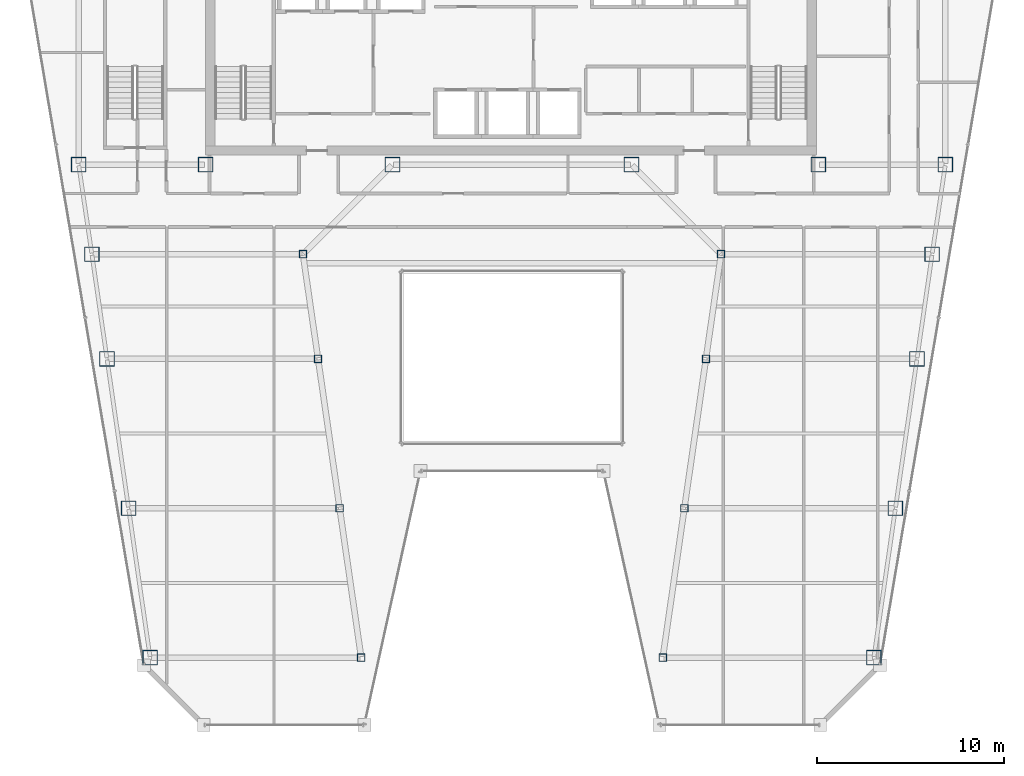
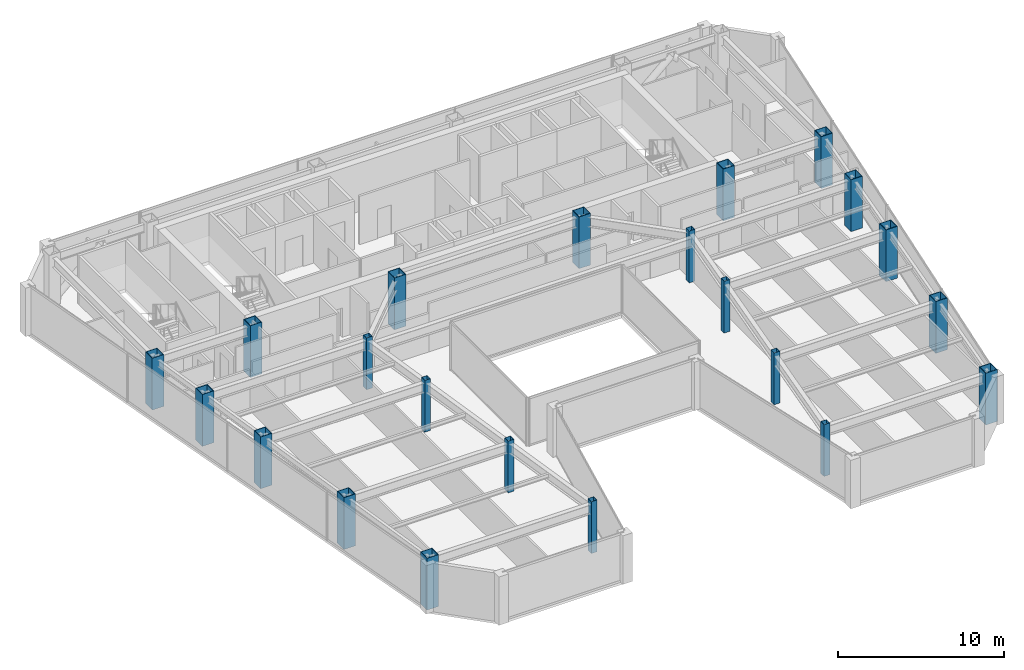
# One storey, part 1 of 36: 22 columns.
"""IFC4 building model written with IfcOpenShell, lengths in metres."""

from ifc_helpers import new_model, si_unit, direction, frame, origin, origin_2d, place, context, subcontext, project, spatial, hollow_rectangle, extrude, material, material_profile, profile_set, type_object, element, save


model = new_model("IFC4")

# Units and contexts
model_context = context("Model", 3, precision=1e-05, world=origin(), true_north=direction((0.0, 1.0)))
body_context = subcontext(model_context, "Body", "Model", "MODEL_VIEW")
ifc_project = project(units=[si_unit("LENGTHUNIT", "METRE"), si_unit("AREAUNIT", "SQUARE_METRE"), si_unit("VOLUMEUNIT", "CUBIC_METRE"), si_unit("PLANEANGLEUNIT", "RADIAN"), si_unit("MASSUNIT", "GRAM", prefix="KILO")], contexts=[model_context])

# Site, building, storey
site_placement = place(None, origin())
site = spatial("IfcSite", under=ifc_project, at=site_placement, CompositionType="ELEMENT")
building_placement = place(site_placement, origin())
building = spatial("IfcBuilding", under=site, at=building_placement, Name="Saevonmaru Cultural Tower", CompositionType="ELEMENT")
storey_placement = place(building_placement, frame((0.0, 0.0, 201.800048828125)))
storey = spatial("IfcBuildingStorey", under=building, at=storey_placement, Name="L46", CompositionType="ELEMENT", Elevation=201.800048828125)

# Columns
ifc_material_1 = material(Name="Steel SM420", Category="steel")
ifc_material_profile_1 = material_profile(ifc_material_1, hollow_rectangle(XDim=0.800048828125, YDim=0.800048828125, WallThickness=0.035888671875, at=origin_2d()), Name="BOX-800x800x36")
ifc_profile_set_1 = profile_set([ifc_material_profile_1], Name="Steel SM420")
column_type_1 = type_object("IfcColumnType", Name="COL-BOX-800", PredefinedType="COLUMN", material=ifc_profile_set_1)
for number, where, z_axis, x_axis, name in (
    (1, (6.800048828125, 42.39990234375, 0.0), (0.0, 0.0, 1.0), (1.0, 0.0, 0.0), "L46 Column TC-S1C"),
    (2, (13.60009765625, 42.39990234375, 0.0), (0.0, 0.0, 1.0), (1.0, 0.0, 0.0), "L46 Column TC-S2C"),
    (3, (23.60009765625, 42.39990234375, 0.0), (0.0, 0.0, 1.0), (1.0, 0.0, 0.0), "L46 Column TC-S3C"),
    (4, (36.39990234375, 42.39990234375, 0.0), (0.0, 0.0, 1.0), (1.0, 0.0, 0.0), "L46 Column TC-S4C"),
    (5, (46.39990234375, 42.39990234375, 0.0), (0.0, 0.0, 1.0), (1.0, 0.0, 0.0), "L46 Column TC-S5C"),
    (6, (53.199951171875, 42.39990234375, 0.0), (0.0, 0.0, 1.0), (1.0, 0.0, 0.0), "L46 Column TC-S6C"),
    (7, (10.6279296875, 16.0, 0.0), (0.0, 0.0, 1.0), (1.0, 0.0, 0.0), "L46 Column TC-WO-Y160"),
    (8, (49.3720703125, 16.0, 0.0), (0.0, 0.0, 1.0), (1.0, 0.0, 0.0), "L46 Column TC-EO-Y160"),
    (9, (9.471923828125, 24.0, 0.0), (0.0, 0.0, 1.0), (1.0, 0.0, 0.0), "L46 Column TC-WO-Y240"),
    (10, (50.528076171875, 24.0, 0.0), (0.0, 0.0, 1.0), (1.0, 0.0, 0.0), "L46 Column TC-EO-Y240"),
    (11, (8.31689453125, 32.0, 0.0), (0.0, 0.0, 1.0), (1.0, 0.0, 0.0), "L46 Column TC-WO-Y320"),
    (12, (51.68310546875, 32.0, 0.0), (0.0, 0.0, 1.0), (1.0, 0.0, 0.0), "L46 Column TC-EO-Y320"),
    (13, (7.508056640625, 37.60009765625, 0.0), (0.0, 0.0, 1.0), (1.0, 0.0, 0.0), "L46 Column TC-WO-Y376"),
    (14, (52.491943359375, 37.60009765625, 0.0), (0.0, 0.0, 1.0), (1.0, 0.0, 0.0), "L46 Column TC-EO-Y376"),
):
    element("IfcColumn", number, at=place(storey_placement, frame(where, z_axis=z_axis, x_axis=x_axis)), inside=storey, type_object=column_type_1, Name=name, PredefinedType="COLUMN", context=body_context, shape_type="SweptSolid", body=[
        extrude(hollow_rectangle(XDim=0.800048828125, YDim=0.800048828125, WallThickness=0.035888671875, at=origin_2d()), origin(), (0.0, 0.0, 1.0), 3.800048828125),
    ])
ifc_material_2 = material(Name="Steel SM355", Category="steel")
ifc_material_profile_2 = material_profile(ifc_material_2, hollow_rectangle(XDim=0.39990234375, YDim=0.39990234375, WallThickness=0.01611328125, at=origin_2d()), Name="SHS-400x400x16")
ifc_profile_set_2 = profile_set([ifc_material_profile_2], Name="Steel SM355")
column_type_2 = type_object("IfcColumnType", Name="COL-SHS-400", PredefinedType="COLUMN", material=ifc_profile_set_2)
for number, where, z_axis, x_axis, name in (
    (15, (21.927978515625, 16.0, 0.0), (0.0, 0.0, 1.0), (1.0, 0.0, 0.0), "L46 Column TC-WI-Y160"),
    (16, (38.072021484375, 16.0, 0.0), (0.0, 0.0, 1.0), (1.0, 0.0, 0.0), "L46 Column TC-EI-Y160"),
    (17, (20.77197265625, 24.0, 0.0), (0.0, 0.0, 1.0), (1.0, 0.0, 0.0), "L46 Column TC-WI-Y240"),
    (18, (39.22802734375, 24.0, 0.0), (0.0, 0.0, 1.0), (1.0, 0.0, 0.0), "L46 Column TC-EI-Y240"),
    (19, (19.616943359375, 32.0, 0.0), (0.0, 0.0, 1.0), (1.0, 0.0, 0.0), "L46 Column TC-WI-Y320"),
    (20, (40.383056640625, 32.0, 0.0), (0.0, 0.0, 1.0), (1.0, 0.0, 0.0), "L46 Column TC-EI-Y320"),
    (21, (18.80810546875, 37.60009765625, 0.0), (0.0, 0.0, 1.0), (1.0, 0.0, 0.0), "L46 Column TC-WI-Y376"),
    (22, (41.19189453125, 37.60009765625, 0.0), (0.0, 0.0, 1.0), (1.0, 0.0, 0.0), "L46 Column TC-EI-Y376"),
):
    element("IfcColumn", number, at=place(storey_placement, frame(where, z_axis=z_axis, x_axis=x_axis)), inside=storey, type_object=column_type_2, Name=name, PredefinedType="COLUMN", context=body_context, shape_type="SweptSolid", body=[
        extrude(hollow_rectangle(XDim=0.39990234375, YDim=0.39990234375, WallThickness=0.01611328125, at=origin_2d()), origin(), (0.0, 0.0, 1.0), 3.800048828125),
    ])

save(model, "model.ifc")
